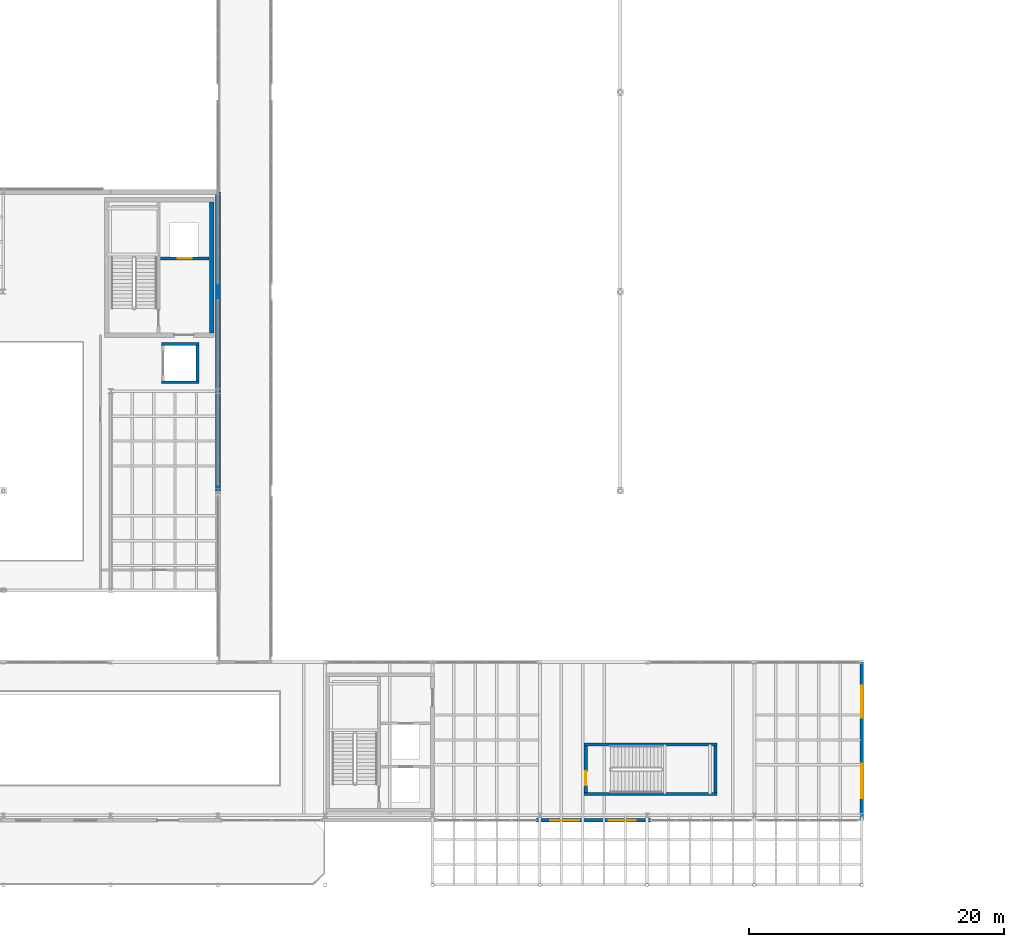
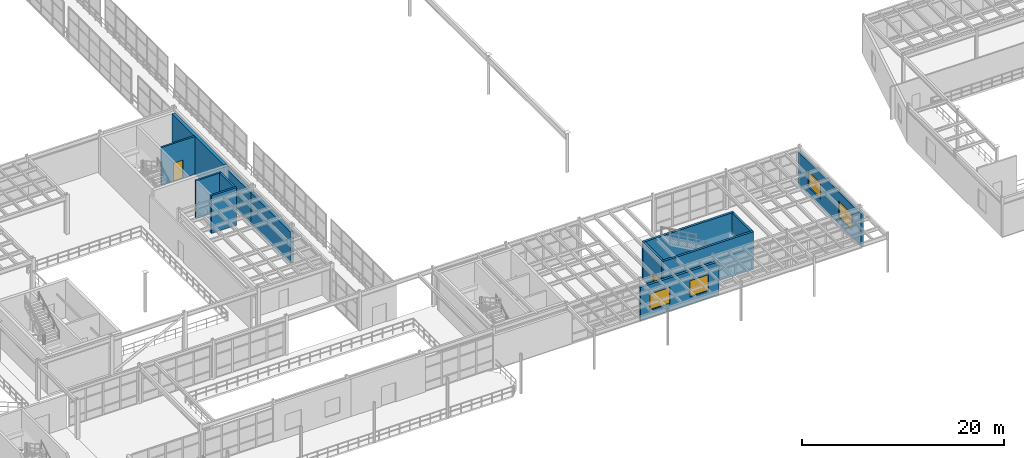
# One storey, part 97 of 116: 13 walls, 4 windows, 2 doors, 6 openings.
"""IFC4 building model written with IfcOpenShell, lengths in metres."""

import ifcopenshell
import ifcopenshell.guid

model = None  # the IFC model being written
_history = None  # IfcOwnerHistory: only IFC2X3 demands one
_inside = {}  # id of a spatial element -> (the spatial element, [elements in it])
_under = {}  # id of a project, library or spatial element -> (it, [spatial elements below it])
_declared = {}  # id of a project -> (the project, [libraries it declares])
_typed = {}  # id of a type object -> (the type object, [elements of that type])
_made_of = {}  # id of a material, layer set ... -> (it, [elements and type objects made of it])


def new_model(schema):
    """Start an empty IFC model of exactly this schema.

    Asked for "IFC4X3", IfcOpenShell would pick the latest addendum, in which some entities
    have other attributes; the version numbers below select the first issue.
    IFC2X3 requires an IfcOwnerHistory on every rooted entity: one is made here for all.
    """
    global model, _history
    if schema == "IFC4X3":
        model = ifcopenshell.file(schema_version=(4, 3, 0, 0))
    else:
        model = ifcopenshell.file(schema=schema)
    _inside.clear()
    _under.clear()
    _declared.clear()
    _typed.clear()
    _made_of.clear()
    _history = None
    if model.schema == "IFC2X3":
        org = make("IfcOrganization", Name="unknown")
        user = make(
            "IfcPersonAndOrganization",
            ThePerson=make("IfcPerson", FamilyName="unknown"),
            TheOrganization=org,
        )
        app = make(
            "IfcApplication",
            ApplicationDeveloper=org,
            Version="unknown",
            ApplicationFullName="unknown",
            ApplicationIdentifier="unknown",
        )
        _history = make(
            "IfcOwnerHistory",
            OwningUser=user,
            OwningApplication=app,
            ChangeAction="ADDED",
            CreationDate=0,
        )
    return model


def make(cls, **values):
    """One entity of the class cls with the attributes given. An attribute that is None is left unset."""
    return model.create_entity(
        cls, **{name: value for name, value in values.items() if value is not None}
    )


def rooted(cls, **values):
    """An entity with a GlobalId (a new one), such as an element, a storey or a relation."""
    return make(cls, GlobalId=ifcopenshell.guid.new(), OwnerHistory=_history, **values)


def si_unit(unit_type, name, prefix=None):
    """IfcSIUnit, for example si_unit("LENGTHUNIT", "METRE", prefix="MILLI")."""
    return make("IfcSIUnit", UnitType=unit_type, Prefix=prefix, Name=name)


def assignment(units):
    """IfcUnitAssignment: the units of a project."""
    return None if units is None else make("IfcUnitAssignment", Units=units)


def point(xyz):
    """IfcCartesianPoint."""
    return None if xyz is None else make("IfcCartesianPoint", Coordinates=xyz)


def direction(xyz):
    """IfcDirection."""
    return None if xyz is None else make("IfcDirection", DirectionRatios=xyz)


def frame(location, z_axis=None, x_axis=None):
    """IfcAxis2Placement3D, a coordinate frame: its origin and axes. An axis left out is left unset."""
    return make(
        "IfcAxis2Placement3D",
        Location=point(location),
        Axis=direction(z_axis),
        RefDirection=direction(x_axis),
    )


def frame_2d(location, x_axis=None):
    """IfcAxis2Placement2D, a coordinate frame in the plane: its origin and x axis."""
    return make(
        "IfcAxis2Placement2D", Location=point(location), RefDirection=direction(x_axis)
    )


def origin():
    """The frame at (0, 0, 0) with its axes left unset."""
    return frame((0.0, 0.0, 0.0))


def place(relative_to, where):
    """IfcLocalPlacement: puts the frame where relative to a parent placement (None: the world)."""
    return make(
        "IfcLocalPlacement", PlacementRelTo=relative_to, RelativePlacement=where
    )


def context(
    kind, dimensions, precision=None, world=None, true_north=None, identifier=None
):
    """IfcGeometricRepresentationContext, for example the 3D "Model" context."""
    return make(
        "IfcGeometricRepresentationContext",
        ContextIdentifier=identifier,
        ContextType=kind,
        CoordinateSpaceDimension=dimensions,
        Precision=precision,
        WorldCoordinateSystem=world,
        TrueNorth=true_north,
    )


def subcontext(parent, identifier, kind, view, scale=None):
    """IfcGeometricRepresentationSubContext, for example "Body" below "Model"."""
    return make(
        "IfcGeometricRepresentationSubContext",
        ContextIdentifier=identifier,
        ContextType=kind,
        ParentContext=parent,
        TargetScale=scale,
        TargetView=view,
    )


def project(units=None, contexts=None):
    """IfcProject with its units and contexts."""
    return rooted(
        "IfcProject",
        Name="project",
        RepresentationContexts=contexts,
        UnitsInContext=assignment(units),
    )


def spatial(cls, under=None, at=None, **own):
    """A site, building, storey or space (cls), placed at a placement, below another one or the project."""
    s = rooted(cls, ObjectPlacement=at, **own)
    if under is not None:
        _under.setdefault(under.id(), (under, []))[1].append(s)
    return s


def profile(cls, at=None, kind="AREA", **sizes):
    """A parametric profile (cls). Its sizes go by their IFC names, for example OverallWidth=200.0."""
    return make(cls, ProfileType=kind, Position=at, **sizes)


def rectangle(**sizes):
    """IfcRectangleProfileDef."""
    return profile("IfcRectangleProfileDef", **sizes)


def extrude(swept, where, along, depth):
    """IfcExtrudedAreaSolid: the profile swept, set in the frame where, extruded along a direction by depth."""
    return make(
        "IfcExtrudedAreaSolid",
        SweptArea=swept,
        Position=where,
        ExtrudedDirection=direction(along),
        Depth=depth,
    )


def shape(context_of_items, identifier, shape_type, items):
    """IfcShapeRepresentation: the items that make up one representation, for example the "Body"."""
    return make(
        "IfcShapeRepresentation",
        ContextOfItems=context_of_items,
        RepresentationIdentifier=identifier,
        RepresentationType=shape_type,
        Items=items,
    )


def material(Name=None, Category=None):
    """IfcMaterial."""
    return make("IfcMaterial", Name=Name, Category=Category)


def layer(
    of_material, thickness, ventilated=None, Name=None, Category=None, Priority=None
):
    """IfcMaterialLayer: one layer of a wall or slab, of a material (None: an air gap)."""
    return make(
        "IfcMaterialLayer",
        Material=of_material,
        LayerThickness=thickness,
        IsVentilated=ventilated,
        Name=Name,
        Category=Category,
        Priority=Priority,
    )


def layer_set(layers, Name=None):
    """IfcMaterialLayerSet."""
    return make("IfcMaterialLayerSet", MaterialLayers=layers, LayerSetName=Name)


def made_of(thing, what):
    """Note that an element or type object is made of a material, layer set ...; save() writes the relation."""
    if what is not None:
        _made_of.setdefault(what.id(), (what, []))[1].append(thing)
    return thing


def type_object(cls, material=None, **own):
    """A type object (cls), such as IfcWallType, which elements share."""
    return made_of(rooted(cls, **own), material)


def element(
    cls,
    number,
    at=None,
    inside=None,
    cuts=None,
    type_object=None,
    material=None,
    context=None,
    identifier="Body",
    shape_type=None,
    held_by="IfcProductDefinitionShape",
    body=None,
    shapes=None,
    **own,
):
    """One element of the class cls, such as IfcWall. Its Tag is "e" and its number.

    at: its placement. inside: the storey or other place that contains it. cuts: it is an
    opening in that element (IfcRelVoidsElement). A single representation is given by context,
    identifier, shape_type and body (its items); several are given by shapes. held_by: the class
    of the entity that holds the representations. save() writes the other relations.
    """
    e = rooted(cls, Tag="e%d" % number, ObjectPlacement=at, **own)
    if body is not None:
        shapes = [shape(context, identifier, shape_type, body)]
    if shapes is not None:
        e.Representation = make(held_by, Representations=shapes)
    if inside is not None:
        _inside.setdefault(inside.id(), (inside, []))[1].append(e)
    if cuts is not None:
        rooted(
            "IfcRelVoidsElement", RelatingBuildingElement=cuts, RelatedOpeningElement=e
        )
    if type_object is not None:
        _typed.setdefault(type_object.id(), (type_object, []))[1].append(e)
    return made_of(e, material)


def fill(opening, filler):
    """IfcRelFillsElement: the door or window that sits in an opening."""
    return rooted(
        "IfcRelFillsElement",
        RelatingOpeningElement=opening,
        RelatedBuildingElement=filler,
    )


def aggregate(whole, parts):
    """IfcRelAggregates: a whole, such as a stair, and the parts it consists of."""
    return rooted("IfcRelAggregates", RelatingObject=whole, RelatedObjects=parts)


def save(model, path):
    """Write the relations noted so far, then the file.

    IfcRelAggregates (storeys below a building ...), IfcRelContainedInSpatialStructure (elements
    in a storey), IfcRelDefinesByType, IfcRelAssociatesMaterial and IfcRelDeclares: one each for
    every whole, place, type object, material and project.
    """
    for whole, parts in _under.values():
        aggregate(whole, parts)
    for where, things in _inside.values():
        rooted(
            "IfcRelContainedInSpatialStructure",
            RelatedElements=things,
            RelatingStructure=where,
        )
    for kind, things in _typed.values():
        rooted("IfcRelDefinesByType", RelatedObjects=things, RelatingType=kind)
    for what, things in _made_of.values():
        rooted("IfcRelAssociatesMaterial", RelatedObjects=things, RelatingMaterial=what)
    for by, libraries in _declared.values():
        rooted("IfcRelDeclares", RelatingContext=by, RelatedDefinitions=libraries)
    model.write(path)


model = new_model("IFC4")

# Units and contexts
model_context = context("Model", 3, precision=1e-05, world=origin(), true_north=direction((0.0, 1.0)))
body_context = subcontext(model_context, "Body", "Model", "MODEL_VIEW")
ifc_project = project(units=[si_unit("LENGTHUNIT", "METRE"), si_unit("AREAUNIT", "SQUARE_METRE"), si_unit("VOLUMEUNIT", "CUBIC_METRE"), si_unit("PLANEANGLEUNIT", "RADIAN"), si_unit("MASSUNIT", "GRAM", prefix="KILO")], contexts=[model_context])

# Site, building, storey
site_placement = place(None, origin())
site = spatial("IfcSite", under=ifc_project, at=site_placement, CompositionType="ELEMENT")
building_placement = place(site_placement, origin())
building = spatial("IfcBuilding", under=site, at=building_placement, Name="Selat Folded Stagehouse", CompositionType="ELEMENT")
storey_placement = place(building_placement, frame((0.0, 0.0, 5.39990234375)))
storey = spatial("IfcBuildingStorey", under=building, at=storey_placement, Name="L01", CompositionType="ELEMENT", Elevation=5.39990234375)

# Wall, opening, door
ifc_material_1 = material(Name="Concrete C40/50", Category="concrete")
ifc_layer_1 = layer(ifc_material_1, 0.215087890625)
ifc_layer_set_1 = layer_set([ifc_layer_1], Name="Concrete C40/50")
wall_type_1 = type_object("IfcWallType", Name="WAL-COMP-215", PredefinedType="STANDARD", material=ifc_layer_set_1)
wall_1_placement = place(storey_placement, frame((62.7099609375, 49.39990234375, 0.0), z_axis=(0.0, 0.0, 1.0), x_axis=(1.0, 0.0, 0.0)))
wall_1 = element("IfcWall", 1, at=wall_1_placement, inside=storey, type_object=wall_type_1, Name="L01 FL-02 lift shaft front wall", PredefinedType="STANDARD", context=body_context, shape_type="SweptSolid", body=[
    extrude(rectangle(XDim=3.794921875, YDim=0.215087890625, at=frame_2d((1.8974609375, 0.0))), origin(), (0.0, 0.0, 1.0), 4.572021484375),
])
opening_1_placement = place(wall_1_placement, frame((1.347412109375, 0.0, 0.0)))
opening_1 = element("IfcOpeningElement", 2, at=opening_1_placement, cuts=wall_1, Name="Opening LD-01", PredefinedType="OPENING", context=body_context, shape_type="SweptSolid", body=[
    extrude(rectangle(XDim=1.10009765625, YDim=2.199951171875, at=frame_2d((0.550048828125, 1.10009765625))), frame((0.0, 0.117431640625, 0.0), z_axis=(0.0, -1.0, 0.0), x_axis=(1.0, 0.0, 0.0)), (0.0, 0.0, 1.0), 0.235107421875),
])
ifc_material_2 = material(Name="Firefighting lift stainless sliding landing door", Category="wood")
door_type_1 = type_object("IfcDoorType", Name="DOR-LFT-1100", OperationType="NOTDEFINED", PredefinedType="DOOR", material=ifc_material_2)
door_1_placement = place(opening_1_placement, origin())
door_1 = element("IfcDoor", 3, at=door_1_placement, inside=storey, type_object=door_type_1, Name="L01 FL-02 lift sliding landing door", OperationType="SLIDING_TO_RIGHT", OverallHeight=2.199951171875, OverallWidth=1.10009765625, PredefinedType="DOOR", context=body_context, shape_type="SweptSolid", body=[
    extrude(rectangle(XDim=1.10009765625, YDim=2.199951171875, at=frame_2d((0.550048828125, 1.10009765625))), frame((0.0, 0.02490234375, 0.0), z_axis=(0.0, -1.0, 0.0), x_axis=(1.0, 0.0, 0.0)), (0.0, 0.0, 1.0), 0.050048828125),
])
fill(opening_1, door_1)

# Walls
for number, where, z_axis, x_axis, name in (
    (4, (65.70751953125, 39.699951171875, 0.0), (0.0, 0.0, 1.0), (-1.0, 0.0, 0.0), "L01 GL-01 south shaft wall"),
    (5, (62.79248046875, 42.699951171875, 0.0), (0.0, 0.0, 1.0), (1.0, 0.0, 0.0), "L01 GL-01 north shaft wall"),
):
    element("IfcWall", number, at=place(storey_placement, frame(where, z_axis=z_axis, x_axis=x_axis)), inside=storey, type_object=wall_type_1, Name=name, PredefinedType="STANDARD", context=body_context, shape_type="SweptSolid", body=[
        extrude(rectangle(XDim=2.9150390625, YDim=0.215087890625, at=frame_2d((1.45751953125, 0.0))), origin(), (0.0, 0.0, 1.0), 4.572021484375),
    ])
wall_2_placement = place(storey_placement, frame((65.60009765625, 42.592529296875, 0.0), z_axis=(0.0, 0.0, 1.0), x_axis=(0.0, -1.0, 0.0)))
element("IfcWall", 6, at=wall_2_placement, inside=storey, type_object=wall_type_1, Name="L01 GL-01 east shaft wall", PredefinedType="STANDARD", context=body_context, shape_type="SweptSolid", body=[
    extrude(rectangle(XDim=2.784912109375, YDim=0.215087890625, at=frame_2d((1.392578125, 0.0))), origin(), (0.0, 0.0, 1.0), 4.572021484375),
])
ifc_material_3 = material(Name="Concrete C50/60", Category="concrete")
ifc_layer_2 = layer(ifc_material_3, 0.25)
ifc_layer_set_2 = layer_set([ifc_layer_2], Name="Concrete C50/60")
wall_type_2 = type_object("IfcWallType", Name="WAL-CORE-250", PredefinedType="SHEAR", material=ifc_layer_set_2)
for number, where, z_axis, x_axis, name in (
    (7, (106.284912109375, 7.4599609375, 0.0), (0.0, 0.0, 1.0), (-1.0, 0.0, 0.0), "L01 ST-08 south shaft wall"),
    (8, (95.875, 11.340087890625, 0.0), (0.0, 0.0, 1.0), (1.0, 0.0, 0.0), "L01 ST-08 north shaft wall"),
):
    element("IfcWall", number, at=place(storey_placement, frame(where, z_axis=z_axis, x_axis=x_axis)), inside=storey, type_object=wall_type_2, Name=name, PredefinedType="SHEAR", context=body_context, shape_type="SweptSolid", body=[
        extrude(rectangle(XDim=10.409912109375, YDim=0.25, at=frame_2d((5.205078125, 0.0))), origin(), (0.0, 0.0, 1.0), 4.580078125),
    ])

# Wall, opening, door
wall_3_placement = place(storey_placement, frame((96.0, 7.5849609375, 0.0), z_axis=(0.0, 0.0, 1.0), x_axis=(0.0, 1.0, 0.0)))
wall_3 = element("IfcWall", 9, at=wall_3_placement, inside=storey, type_object=wall_type_2, Name="L01 ST-08 west shaft wall", PredefinedType="SHEAR", context=body_context, shape_type="SweptSolid", body=[
    extrude(rectangle(XDim=3.630126953125, YDim=0.25, at=frame_2d((1.81494140625, 0.0))), origin(), (0.0, 0.0, 1.0), 4.580078125),
])
opening_2_placement = place(wall_3_placement, frame((0.550048828125, 0.0, 0.0)))
opening_2 = element("IfcOpeningElement", 10, at=opening_2_placement, cuts=wall_3, Name="Opening FD-60", PredefinedType="OPENING", context=body_context, shape_type="SweptSolid", body=[
    extrude(rectangle(XDim=1.10009765625, YDim=2.14990234375, at=frame_2d((0.550048828125, 1.074951171875))), frame((0.0, 0.135009765625, 0.0), z_axis=(0.0, -1.0, 0.0), x_axis=(1.0, 0.0, 0.0)), (0.0, 0.0, 1.0), 0.27001953125),
])
ifc_material_4 = material(Name="Fire-rated timber core door", Category="wood")
door_type_2 = type_object("IfcDoorType", Name="DOR-FIRE-60", OperationType="NOTDEFINED", PredefinedType="DOOR", material=ifc_material_4)
door_2_placement = place(opening_2_placement, origin())
door_2 = element("IfcDoor", 11, at=door_2_placement, inside=storey, type_object=door_type_2, Name="L01 ST-08 stair door", OperationType="SINGLE_SWING_LEFT", OverallHeight=2.14990234375, OverallWidth=1.10009765625, PredefinedType="DOOR", context=body_context, shape_type="SweptSolid", body=[
    extrude(rectangle(XDim=1.10009765625, YDim=2.14990234375, at=frame_2d((0.550048828125, 1.074951171875))), frame((0.0, 0.02490234375, 0.0), z_axis=(0.0, -1.0, 0.0), x_axis=(1.0, 0.0, 0.0)), (0.0, 0.0, 1.0), 0.050048828125),
])
fill(opening_2, door_2)

# Wall
wall_4_placement = place(storey_placement, frame((106.159912109375, 11.215087890625, 0.0), z_axis=(0.0, 0.0, 1.0), x_axis=(0.0, -1.0, 0.0)))
element("IfcWall", 12, at=wall_4_placement, inside=storey, type_object=wall_type_2, Name="L01 ST-08 east shaft wall", PredefinedType="SHEAR", context=body_context, shape_type="SweptSolid", body=[
    extrude(rectangle(XDim=3.630126953125, YDim=0.25, at=frame_2d((1.81494140625, 0.0))), origin(), (0.0, 0.0, 1.0), 4.580078125),
])

# Wall, openings, windows
ifc_material_5 = material(Name="Precast concrete C40/50", Category="concrete")
ifc_layer_3 = layer(ifc_material_5, 0.27490234375)
ifc_layer_set_3 = layer_set([ifc_layer_3], Name="Precast concrete C40/50")
wall_type_3 = type_object("IfcWallType", Name="WAL-EXT-275", PredefinedType="STANDARD", material=ifc_layer_set_3)
wall_5_placement = place(storey_placement, frame((101.10009765625, 5.39990234375, 0.0), z_axis=(0.0, 0.0, 1.0), x_axis=(-1.0, 0.0, 0.0)))
wall_5 = element("IfcWall", 13, at=wall_5_placement, inside=storey, type_object=wall_type_3, Name="L01 exterior facade wall EW-L01-FYR-S3", PredefinedType="STANDARD", context=body_context, shape_type="SweptSolid", body=[
    extrude(rectangle(XDim=9.0, YDim=0.27490234375, at=frame_2d((4.5, 0.0))), origin(), (0.0, 0.0, 1.0), 4.0126953125),
])
opening_3_placement = place(wall_5_placement, frame((1.199951171875, 0.0, 0.89990234375)))
opening_3 = element("IfcOpeningElement", 14, at=opening_3_placement, cuts=wall_5, Name="Opening WN-30", PredefinedType="OPENING", context=body_context, shape_type="SweptSolid", body=[
    extrude(rectangle(XDim=2.10009765625, YDim=1.949951171875, at=frame_2d((1.050048828125, 0.97509765625))), frame((0.0, 0.1474609375, 0.0), z_axis=(0.0, -1.0, 0.0), x_axis=(1.0, 0.0, 0.0)), (0.0, 0.0, 1.0), 0.294921875),
])
opening_4_placement = place(wall_5_placement, frame((5.60009765625, 0.0, 0.89990234375)))
opening_4 = element("IfcOpeningElement", 15, at=opening_4_placement, cuts=wall_5, Name="Opening WN-29", PredefinedType="OPENING", context=body_context, shape_type="SweptSolid", body=[
    extrude(rectangle(XDim=2.300048828125, YDim=1.949951171875, at=frame_2d((1.14990234375, 0.97509765625))), frame((0.0, 0.1474609375, 0.0), z_axis=(0.0, -1.0, 0.0), x_axis=(1.0, 0.0, 0.0)), (0.0, 0.0, 1.0), 0.294921875),
])
ifc_material_6 = material(Name="Thermally broken aluminium and acoustic low-E glass", Category="aluminium")
window_type_1 = type_object("IfcWindowType", Name="WIN-ED-2100x1950", PartitioningType="SINGLE_PANEL", PredefinedType="WINDOW", material=ifc_material_6)
window_1_placement = place(opening_3_placement, origin())
window_1 = element("IfcWindow", 16, at=window_1_placement, inside=storey, type_object=window_type_1, Name="L01 exterior window EW-L01-FYR-S3-1", OverallHeight=1.949951171875, OverallWidth=2.10009765625, PartitioningType="SINGLE_PANEL", PredefinedType="WINDOW", context=body_context, shape_type="SweptSolid", body=[
    extrude(rectangle(XDim=2.10009765625, YDim=1.949951171875, at=frame_2d((1.050048828125, 0.97509765625))), frame((0.0, 0.030029296875, 0.0), z_axis=(0.0, -1.0, 0.0), x_axis=(1.0, 0.0, 0.0)), (0.0, 0.0, 1.0), 0.06005859375),
])
fill(opening_3, window_1)
window_type_2 = type_object("IfcWindowType", Name="WIN-ED-2300x1950", PartitioningType="SINGLE_PANEL", PredefinedType="WINDOW", material=ifc_material_6)
window_2_placement = place(opening_4_placement, origin())
window_2 = element("IfcWindow", 17, at=window_2_placement, inside=storey, type_object=window_type_2, Name="L01 exterior window EW-L01-FYR-S3-2", OverallHeight=1.949951171875, OverallWidth=2.300048828125, PartitioningType="SINGLE_PANEL", PredefinedType="WINDOW", context=body_context, shape_type="SweptSolid", body=[
    extrude(rectangle(XDim=2.300048828125, YDim=1.949951171875, at=frame_2d((1.14990234375, 0.97509765625))), frame((0.0, 0.030029296875, 0.0), z_axis=(0.0, -1.0, 0.0), x_axis=(1.0, 0.0, 0.0)), (0.0, 0.0, 1.0), 0.06005859375),
])
fill(opening_4, window_2)

wall_6_placement = place(storey_placement, frame((117.60009765625, 17.800048828125, 0.0), z_axis=(0.0, 0.0, 1.0), x_axis=(0.0, -1.0, 0.0)))
wall_6 = element("IfcWall", 18, at=wall_6_placement, inside=storey, type_object=wall_type_3, Name="L01 exterior facade wall EW-L01-FYR-E", PredefinedType="STANDARD", context=body_context, shape_type="SweptSolid", body=[
    extrude(rectangle(XDim=12.400146484375, YDim=0.27490234375, at=frame_2d((6.2001953125, 0.0))), origin(), (0.0, 0.0, 1.0), 3.954833984375),
])
opening_5_placement = place(wall_6_placement, frame((1.85009765625, 0.0, 0.89990234375)))
opening_5 = element("IfcOpeningElement", 19, at=opening_5_placement, cuts=wall_6, Name="Opening WN-28", PredefinedType="OPENING", context=body_context, shape_type="SweptSolid", body=[
    extrude(rectangle(XDim=2.5, YDim=1.949951171875, at=frame_2d((1.25, 0.97509765625))), frame((0.0, 0.1474609375, 0.0), z_axis=(0.0, -1.0, 0.0), x_axis=(1.0, 0.0, 0.0)), (0.0, 0.0, 1.0), 0.294921875),
])
opening_6_placement = place(wall_6_placement, frame((7.949951171875, 0.0, 0.89990234375)))
opening_6 = element("IfcOpeningElement", 20, at=opening_6_placement, cuts=wall_6, Name="Opening WN-27", PredefinedType="OPENING", context=body_context, shape_type="SweptSolid", body=[
    extrude(rectangle(XDim=2.699951171875, YDim=1.949951171875, at=frame_2d((1.35009765625, 0.97509765625))), frame((0.0, 0.1474609375, 0.0), z_axis=(0.0, -1.0, 0.0), x_axis=(1.0, 0.0, 0.0)), (0.0, 0.0, 1.0), 0.294921875),
])
window_type_3 = type_object("IfcWindowType", Name="WIN-ED-2500x1950", PartitioningType="SINGLE_PANEL", PredefinedType="WINDOW", material=ifc_material_6)
window_3_placement = place(opening_5_placement, origin())
window_3 = element("IfcWindow", 21, at=window_3_placement, inside=storey, type_object=window_type_3, Name="L01 exterior window EW-L01-FYR-E-1", OverallHeight=1.949951171875, OverallWidth=2.5, PartitioningType="SINGLE_PANEL", PredefinedType="WINDOW", context=body_context, shape_type="SweptSolid", body=[
    extrude(rectangle(XDim=2.5, YDim=1.949951171875, at=frame_2d((1.25, 0.97509765625))), frame((0.0, 0.030029296875, 0.0), z_axis=(0.0, -1.0, 0.0), x_axis=(1.0, 0.0, 0.0)), (0.0, 0.0, 1.0), 0.06005859375),
])
fill(opening_5, window_3)
window_type_4 = type_object("IfcWindowType", Name="WIN-ED-2700x1950", PartitioningType="SINGLE_PANEL", PredefinedType="WINDOW", material=ifc_material_6)
window_4_placement = place(opening_6_placement, origin())
window_4 = element("IfcWindow", 22, at=window_4_placement, inside=storey, type_object=window_type_4, Name="L01 exterior window EW-L01-FYR-E-2", OverallHeight=1.949951171875, OverallWidth=2.699951171875, PartitioningType="SINGLE_PANEL", PredefinedType="WINDOW", context=body_context, shape_type="SweptSolid", body=[
    extrude(rectangle(XDim=2.699951171875, YDim=1.949951171875, at=frame_2d((1.35009765625, 0.97509765625))), frame((0.0, 0.030029296875, 0.0), z_axis=(0.0, -1.0, 0.0), x_axis=(1.0, 0.0, 0.0)), (0.0, 0.0, 1.0), 0.06005859375),
])
fill(opening_6, window_4)

# Walls
ifc_layer_4 = layer(ifc_material_5, 0.3798828125)
ifc_layer_set_4 = layer_set([ifc_layer_4], Name="Precast concrete C40/50")
wall_type_4 = type_object("IfcWallType", Name="WAL-EXT-380", PredefinedType="STANDARD", material=ifc_layer_set_4)
wall_7_placement = place(storey_placement, frame((67.199951171875, 54.60009765625, 0.0), z_axis=(0.0, 0.0, 1.0), x_axis=(0.0, -1.0, 0.0)))
element("IfcWall", 23, at=wall_7_placement, inside=storey, type_object=wall_type_4, Name="L01 exterior facade wall EW-L01-V2E-39", PredefinedType="STANDARD", context=body_context, shape_type="SweptSolid", body=[
    extrude(rectangle(XDim=15.60009765625, YDim=0.3798828125, at=frame_2d((7.800048828125, 0.0))), origin(), (0.0, 0.0, 1.0), 3.80224609375),
])
wall_8_placement = place(storey_placement, frame((67.199951171875, 39.0, 0.0), z_axis=(0.0, 0.0, 1.0), x_axis=(0.0, -1.0, 0.0)))
element("IfcWall", 24, at=wall_8_placement, inside=storey, type_object=wall_type_4, Name="L01 exterior facade wall EW-L01-V2E-31", PredefinedType="STANDARD", context=body_context, shape_type="SweptSolid", body=[
    extrude(rectangle(XDim=7.800048828125, YDim=0.3798828125, at=frame_2d((3.89990234375, 0.0))), origin(), (0.0, 0.0, 1.0), 3.80224609375),
])
ifc_layer_5 = layer(ifc_material_3, 0.35009765625)
ifc_layer_set_5 = layer_set([ifc_layer_5], Name="Concrete C50/60")
wall_type_5 = type_object("IfcWallType", Name="WAL-SW-350", PredefinedType="SHEAR", material=ifc_layer_set_5)
wall_9_placement = place(storey_placement, frame((66.699951171875, 53.824951171875, 0.0), z_axis=(0.0, 0.0, 1.0), x_axis=(0.0, -1.0, 0.0)))
element("IfcWall", 25, at=wall_9_placement, inside=storey, type_object=wall_type_5, Name="L01 CR-2 east shear wall", PredefinedType="SHEAR", context=body_context, shape_type="SweptSolid", body=[
    extrude(rectangle(XDim=10.25, YDim=0.35009765625, at=frame_2d((5.125, 0.0))), origin(), (0.0, 0.0, 1.0), 4.580078125),
])

save(model, "model.ifc")
